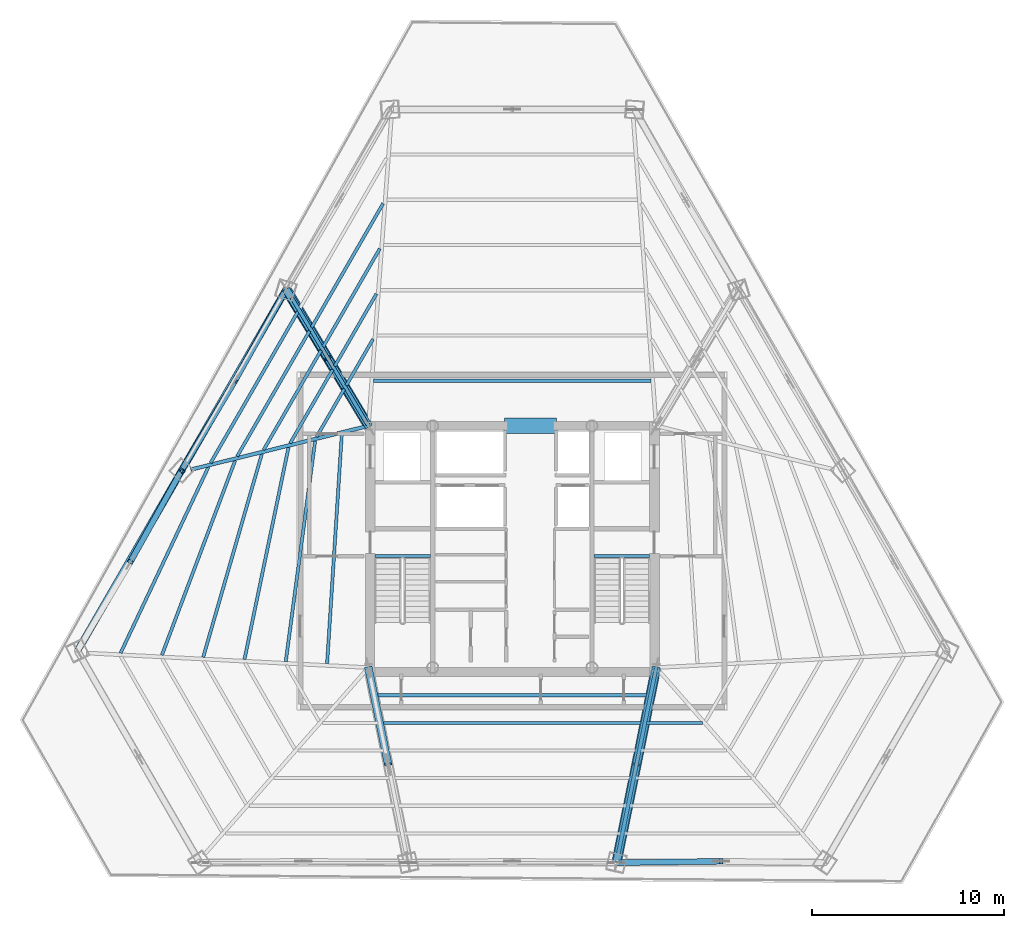
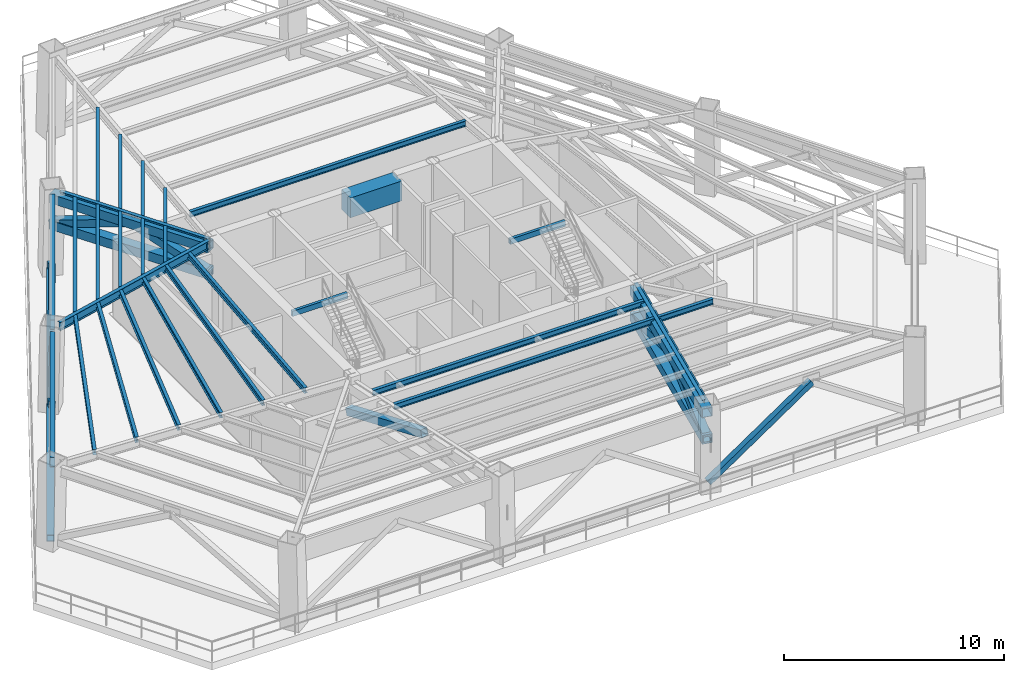
# One storey, part 2 of 12: 27 beams, 16 members.
"""IFC4 building model written with IfcOpenShell, lengths in metres."""

from ifc_helpers import new_model, si_unit, direction, frame, origin, origin_2d, place, context, subcontext, project, spatial, rectangle, hollow_rectangle, i_section, extrude, source, transform, mapped, material, material_profile, profile_set, type_object, type_shapes, element, save


model = new_model("IFC4")

# Units and contexts
model_context = context("Model", 3, precision=1e-05, world=origin(), true_north=direction((0.0, 1.0)))
body_context = subcontext(model_context, "Body", "Model", "MODEL_VIEW")
ifc_project = project(units=[si_unit("LENGTHUNIT", "METRE"), si_unit("AREAUNIT", "SQUARE_METRE"), si_unit("VOLUMEUNIT", "CUBIC_METRE"), si_unit("PLANEANGLEUNIT", "RADIAN"), si_unit("MASSUNIT", "GRAM", prefix="KILO")], contexts=[model_context])

# Site, building, storey
site_placement = place(None, origin())
site = spatial("IfcSite", under=ifc_project, at=site_placement, CompositionType="ELEMENT")
building_placement = place(site_placement, origin())
building = spatial("IfcBuilding", under=site, at=building_placement, Name="Caelisora Broadcast Tower", CompositionType="ELEMENT")
storey_placement = place(building_placement, frame((0.0, 0.0, 150.050048828125)))
storey = spatial("IfcBuildingStorey", under=building, at=storey_placement, Name="L39", CompositionType="ELEMENT", Elevation=150.050048828125)

# Beams
ifc_material_1 = material(Name="Steel Grade 350 (AS/NZS 1163 C350L0)", Category="steel")
ifc_material_profile_1 = material_profile(ifc_material_1, hollow_rectangle(XDim=0.14990234375, YDim=0.300048828125, WallThickness=0.010009765625, at=origin_2d()), Name="Steel Grade 350 (AS/NZS 1163 C350L0)")
ifc_profile_set_1 = profile_set([ifc_material_profile_1], Name="Steel Grade 350 (AS/NZS 1163 C350L0)")
beam_type_1 = type_object("IfcBeamType", Name="SB05", PredefinedType="JOIST", material=ifc_profile_set_1)
shared_shape_1 = source(origin(), body_context, "Body", "SweptSolid", [
    extrude(hollow_rectangle(XDim=0.14990234375, YDim=0.300048828125, WallThickness=0.010009765625, at=origin_2d()), origin(), (0.0, 0.0, 1.0), 2.89990234375),
])
type_shapes(beam_type_1, [shared_shape_1])
for number, where, z_axis, x_axis, name in (
    (1, (30.840087890625, 23.219970703125, 4.39990234375), (1.0, 0.0, 0.0), (0.0, 1.0, 0.0), "L39 beam SB05"),
    (2, (42.260009765625, 23.219970703125, 4.39990234375), (1.0, 0.0, 0.0), (0.0, 1.0, 0.0), "L39 beam SB05"),
):
    element("IfcBeam", number, at=place(storey_placement, frame(where, z_axis=z_axis, x_axis=x_axis)), inside=storey, type_object=beam_type_1, Name=name, PredefinedType="JOIST", context=body_context, shape_type="MappedRepresentation", body=[
        mapped(shared_shape_1, transform((0.0, 0.0, 0.0), scale=1.0)),
    ])
ifc_material_2 = material(Name="Concrete 65 MPa (AS 3600 S65)", Category="concrete")
ifc_material_profile_2 = material_profile(ifc_material_2, rectangle(XDim=0.800048828125, YDim=1.10009765625, at=origin_2d()), Name="Concrete 65 MPa (AS 3600 S65)")
ifc_profile_set_2 = profile_set([ifc_material_profile_2], Name="Concrete 65 MPa (AS 3600 S65)")
beam_type_2 = type_object("IfcBeamType", Name="CB01", PredefinedType="LINTEL", material=ifc_profile_set_2)
shared_shape_2 = source(origin(), body_context, "Body", "SweptSolid", [
    extrude(rectangle(XDim=0.800048828125, YDim=1.10009765625, at=origin_2d()), origin(), (0.0, 0.0, 1.0), 2.699951171875),
])
type_shapes(beam_type_2, [shared_shape_2])
beam_1_placement = place(storey_placement, frame((37.60009765625, 30.0, 4.0), z_axis=(1.0, 0.0, 0.0), x_axis=(0.0, 1.0, 0.0)))
element("IfcBeam", 3, at=beam_1_placement, inside=storey, type_object=beam_type_2, Name="L39 beam CB01", PredefinedType="LINTEL", context=body_context, shape_type="MappedRepresentation", body=[
    mapped(shared_shape_2, transform((0.0, 0.0, 0.0), scale=1.0)),
])

# Member
ifc_material_profile_3 = material_profile(ifc_material_1, hollow_rectangle(XDim=0.199951171875, YDim=0.199951171875, WallThickness=0.009033203125, at=origin_2d()), Name="Steel Grade 350 (AS/NZS 1163 C350L0)")
ifc_profile_set_3 = profile_set([ifc_material_profile_3], Name="Steel Grade 350 (AS/NZS 1163 C350L0)")
member_type_1 = type_object("IfcMemberType", Name="TR14", PredefinedType="POST", material=ifc_profile_set_3)
shared_shape_3 = source(origin(), body_context, "Body", "SweptSolid", [
    extrude(hollow_rectangle(XDim=0.199951171875, YDim=0.199951171875, WallThickness=0.009033203125, at=origin_2d()), origin(), (0.0, 0.0, 1.0), 3.620849609375),
])
type_shapes(member_type_1, [shared_shape_3])
member_1_placement = place(storey_placement, frame((20.764404296875, 27.682373046875, 0.349853515625), z_axis=(0.014901170285, -0.013754926417, 0.999794357417), x_axis=(0.678280102733, 0.734803444627, 0.0)))
element("IfcMember", 4, at=member_1_placement, inside=storey, type_object=member_type_1, Name="L39 transfer post TR14", PredefinedType="POST", context=body_context, shape_type="MappedRepresentation", body=[
    mapped(shared_shape_3, transform((0.0, 0.0, 0.0), scale=1.0)),
])

# Beams
ifc_material_3 = material(Name="Steel Grade 350 (AS/NZS 3679.1)", Category="steel")
ifc_material_profile_4 = material_profile(ifc_material_3, i_section(OverallWidth=0.208984375, OverallDepth=0.532958984375, WebThickness=0.01025390625, FlangeThickness=0.015625, at=origin_2d()), Name="Steel Grade 350 (AS/NZS 3679.1)")
ifc_profile_set_4 = profile_set([ifc_material_profile_4], Name="Steel Grade 350 (AS/NZS 3679.1)")
beam_type_3 = type_object("IfcBeamType", Name="PG05", PredefinedType="BEAM", material=ifc_profile_set_4)
shared_shape_4 = source(origin(), body_context, "Body", "SweptSolid", [
    extrude(i_section(OverallWidth=0.208984375, OverallDepth=0.532958984375, WebThickness=0.01025390625, FlangeThickness=0.015625, at=origin_2d()), origin(), (0.0, 0.0, 1.0), 9.9775390625),
])
beam_2_placement = place(storey_placement, frame((26.049560546875, 36.66015625, 4.283447265625), z_axis=(-0.499997099014, -0.866027078663, 0.0), x_axis=(0.866027078663, -0.499997099014, 0.0)))
element("IfcBeam", 5, at=beam_2_placement, inside=storey, type_object=beam_type_3, Name="L39 beam PG05", PredefinedType="BEAM", context=body_context, shape_type="MappedRepresentation", body=[
    mapped(shared_shape_4, transform((0.0, 0.0, 0.0), scale=1.0)),
])
shared_shape_5 = source(origin(), body_context, "Body", "SweptSolid", [
    extrude(i_section(OverallWidth=0.208984375, OverallDepth=0.532958984375, WebThickness=0.01025390625, FlangeThickness=0.015625, at=origin_2d()), origin(), (0.0, 0.0, 1.0), 9.977294921875),
])
type_shapes(beam_type_3, [shared_shape_4, shared_shape_5])
beam_3_placement = place(storey_placement, frame((20.600830078125, 27.22265625, 4.283447265625), z_axis=(-0.500007694496, -0.86602096132, 0.0), x_axis=(0.86602096132, -0.500007694496, 0.0)))
element("IfcBeam", 6, at=beam_3_placement, inside=storey, type_object=beam_type_3, Name="L39 beam PG05", PredefinedType="BEAM", context=body_context, shape_type="MappedRepresentation", body=[
    mapped(shared_shape_5, transform((0.0, 0.0, 0.0), scale=1.0)),
])
ifc_material_profile_5 = material_profile(ifc_material_3, i_section(OverallWidth=0.19091796875, OverallDepth=0.46044921875, WebThickness=0.010009765625, FlangeThickness=0.01611328125, at=origin_2d()), Name="Steel Grade 350 (AS/NZS 3679.1)")
ifc_profile_set_5 = profile_set([ifc_material_profile_5], Name="Steel Grade 350 (AS/NZS 3679.1)")
beam_type_4 = type_object("IfcBeamType", Name="PG06", PredefinedType="BEAM", material=ifc_profile_set_5)
shared_shape_6 = source(origin(), body_context, "Body", "SweptSolid", [
    extrude(i_section(OverallWidth=0.19091796875, OverallDepth=0.46044921875, WebThickness=0.010009765625, FlangeThickness=0.01611328125, at=origin_2d()), origin(), (0.0, 0.0, 1.0), 7.743896484375),
])
beam_4_placement = place(storey_placement, frame((30.46923828125, 30.051513671875, 4.31982421875), z_axis=(-0.513187736505, 0.858276381535, 0.0), x_axis=(-0.858276381535, -0.513187736505, 0.0)))
element("IfcBeam", 7, at=beam_4_placement, inside=storey, type_object=beam_type_4, Name="L39 beam PG06", PredefinedType="BEAM", context=body_context, shape_type="MappedRepresentation", body=[
    mapped(shared_shape_6, transform((0.0, 0.0, 0.0), scale=1.0)),
])
shared_shape_7 = source(origin(), body_context, "Body", "SweptSolid", [
    extrude(i_section(OverallWidth=0.19091796875, OverallDepth=0.46044921875, WebThickness=0.010009765625, FlangeThickness=0.01611328125, at=origin_2d()), origin(), (0.0, 0.0, 1.0), 9.4775390625),
])
beam_5_placement = place(storey_placement, frame((30.441650390625, 29.985595703125, 4.31982421875), z_axis=(-0.971038880429, -0.238921519949, 0.0), x_axis=(0.238921519949, -0.971038880429, 0.0)))
element("IfcBeam", 8, at=beam_5_placement, inside=storey, type_object=beam_type_4, Name="L39 beam PG06", PredefinedType="BEAM", context=body_context, shape_type="MappedRepresentation", body=[
    mapped(shared_shape_7, transform((0.0, 0.0, 0.0), scale=1.0)),
])
shared_shape_8 = source(origin(), body_context, "Body", "SweptSolid", [
    extrude(i_section(OverallWidth=0.19091796875, OverallDepth=0.46044921875, WebThickness=0.010009765625, FlangeThickness=0.01611328125, at=origin_2d()), origin(), (0.0, 0.0, 1.0), 9.80615234375),
])
type_shapes(beam_type_4, [shared_shape_6, shared_shape_7, shared_shape_8])
beam_6_placement = place(storey_placement, frame((45.488037109375, 17.34130859375, 4.31982421875), z_axis=(-0.199423421485, -0.979913414013, 0.0), x_axis=(0.979913414013, -0.199423421485, 0.0)))
element("IfcBeam", 9, at=beam_6_placement, inside=storey, type_object=beam_type_4, Name="L39 beam PG06", PredefinedType="BEAM", context=body_context, shape_type="MappedRepresentation", body=[
    mapped(shared_shape_8, transform((0.0, 0.0, 0.0), scale=1.0)),
])
ifc_material_profile_6 = material_profile(ifc_material_3, i_section(OverallWidth=0.166015625, OverallDepth=0.30712890625, WebThickness=0.006591796875, FlangeThickness=0.01171875, at=origin_2d()), Name="Steel Grade 350 (AS/NZS 3679.1)")
ifc_profile_set_6 = profile_set([ifc_material_profile_6], Name="Steel Grade 350 (AS/NZS 3679.1)")
beam_type_5 = type_object("IfcBeamType", Name="SB03", PredefinedType="JOIST", material=ifc_profile_set_6)
shared_shape_9 = source(origin(), body_context, "Body", "SweptSolid", [
    extrude(i_section(OverallWidth=0.166015625, OverallDepth=0.30712890625, WebThickness=0.006591796875, FlangeThickness=0.01171875, at=origin_2d()), origin(), (0.0, 0.0, 1.0), 14.46337890625),
])
beam_7_placement = place(storey_placement, frame((45.231689453125, 32.356689453125, 4.396240234375), z_axis=(-1.0, 0.0, 0.0), x_axis=(0.0, -1.0, 0.0)))
element("IfcBeam", 10, at=beam_7_placement, inside=storey, type_object=beam_type_5, Name="L39 beam SB03", PredefinedType="JOIST", context=body_context, shape_type="MappedRepresentation", body=[
    mapped(shared_shape_9, transform((0.0, 0.0, 0.0), scale=1.0)),
])
shared_shape_10 = source(origin(), body_context, "Body", "SweptSolid", [
    extrude(i_section(OverallWidth=0.166015625, OverallDepth=0.30712890625, WebThickness=0.006591796875, FlangeThickness=0.01171875, at=origin_2d()), origin(), (0.0, 0.0, 1.0), 2.790283203125),
])
beam_8_placement = place(storey_placement, frame((30.742431640625, 34.525390625, 4.396240234375), z_axis=(-0.499959774894, -0.866048626514, 0.0), x_axis=(0.866048626514, -0.499959774894, 0.0)))
element("IfcBeam", 11, at=beam_8_placement, inside=storey, type_object=beam_type_5, Name="L39 beam SB03", PredefinedType="JOIST", context=body_context, shape_type="MappedRepresentation", body=[
    mapped(shared_shape_10, transform((0.0, 0.0, 0.0), scale=1.0)),
])
shared_shape_11 = source(origin(), body_context, "Body", "SweptSolid", [
    extrude(i_section(OverallWidth=0.166015625, OverallDepth=0.30712890625, WebThickness=0.006591796875, FlangeThickness=0.01171875, at=origin_2d()), origin(), (0.0, 0.0, 1.0), 4.34716796875),
])
beam_9_placement = place(storey_placement, frame((30.91796875, 36.8818359375, 4.396240234375), z_axis=(-0.500010903086, -0.866019108793, 0.0), x_axis=(0.866019108793, -0.500010903086, 0.0)))
element("IfcBeam", 12, at=beam_9_placement, inside=storey, type_object=beam_type_5, Name="L39 beam SB03", PredefinedType="JOIST", context=body_context, shape_type="MappedRepresentation", body=[
    mapped(shared_shape_11, transform((0.0, 0.0, 0.0), scale=1.0)),
])
shared_shape_12 = source(origin(), body_context, "Body", "SweptSolid", [
    extrude(i_section(OverallWidth=0.166015625, OverallDepth=0.30712890625, WebThickness=0.006591796875, FlangeThickness=0.01171875, at=origin_2d()), origin(), (0.0, 0.0, 1.0), 5.90380859375),
])
beam_10_placement = place(storey_placement, frame((31.093505859375, 39.23828125, 4.396240234375), z_axis=(-0.50003506643, -0.866005157225, 0.0), x_axis=(0.866005157225, -0.50003506643, 0.0)))
element("IfcBeam", 13, at=beam_10_placement, inside=storey, type_object=beam_type_5, Name="L39 beam SB03", PredefinedType="JOIST", context=body_context, shape_type="MappedRepresentation", body=[
    mapped(shared_shape_12, transform((0.0, 0.0, 0.0), scale=1.0)),
])
shared_shape_13 = source(origin(), body_context, "Body", "SweptSolid", [
    extrude(i_section(OverallWidth=0.166015625, OverallDepth=0.30712890625, WebThickness=0.006591796875, FlangeThickness=0.01171875, at=origin_2d()), origin(), (0.0, 0.0, 1.0), 7.460693359375),
])
beam_11_placement = place(storey_placement, frame((31.268798828125, 41.594970703125, 4.396240234375), z_axis=(-0.499985890914, -0.866033549516, 0.0), x_axis=(0.866033549516, -0.499985890914, 0.0)))
element("IfcBeam", 14, at=beam_11_placement, inside=storey, type_object=beam_type_5, Name="L39 beam SB03", PredefinedType="JOIST", context=body_context, shape_type="MappedRepresentation", body=[
    mapped(shared_shape_13, transform((0.0, 0.0, 0.0), scale=1.0)),
])
shared_shape_14 = source(origin(), body_context, "Body", "SweptSolid", [
    extrude(i_section(OverallWidth=0.166015625, OverallDepth=0.30712890625, WebThickness=0.006591796875, FlangeThickness=0.01171875, at=origin_2d()), origin(), (0.0, 0.0, 1.0), 2.8779296875),
])
beam_12_placement = place(storey_placement, frame((29.240966796875, 31.9248046875, 4.396240234375), z_axis=(-0.499989254212, -0.866031607779, 0.0), x_axis=(0.866031607779, -0.499989254212, 0.0)))
element("IfcBeam", 15, at=beam_12_placement, inside=storey, type_object=beam_type_5, Name="L39 beam SB03", PredefinedType="JOIST", context=body_context, shape_type="MappedRepresentation", body=[
    mapped(shared_shape_14, transform((0.0, 0.0, 0.0), scale=1.0)),
])
shared_shape_15 = source(origin(), body_context, "Body", "SweptSolid", [
    extrude(i_section(OverallWidth=0.166015625, OverallDepth=0.30712890625, WebThickness=0.006591796875, FlangeThickness=0.01171875, at=origin_2d()), origin(), (0.0, 0.0, 1.0), 4.4345703125),
])
beam_13_placement = place(storey_placement, frame((28.63818359375, 32.93310546875, 4.396240234375), z_axis=(-0.499987733489, -0.866032485742, 0.0), x_axis=(0.866032485742, -0.499987733489, 0.0)))
element("IfcBeam", 16, at=beam_13_placement, inside=storey, type_object=beam_type_5, Name="L39 beam SB03", PredefinedType="JOIST", context=body_context, shape_type="MappedRepresentation", body=[
    mapped(shared_shape_15, transform((0.0, 0.0, 0.0), scale=1.0)),
])
shared_shape_16 = source(origin(), body_context, "Body", "SweptSolid", [
    extrude(i_section(OverallWidth=0.166015625, OverallDepth=0.30712890625, WebThickness=0.006591796875, FlangeThickness=0.01171875, at=origin_2d()), origin(), (0.0, 0.0, 1.0), 5.991455078125),
])
beam_14_placement = place(storey_placement, frame((28.03515625, 33.94140625, 4.396240234375), z_axis=(-0.500017564147, -0.866015262882, 0.0), x_axis=(0.866015262882, -0.500017564147, 0.0)))
element("IfcBeam", 17, at=beam_14_placement, inside=storey, type_object=beam_type_5, Name="L39 beam SB03", PredefinedType="JOIST", context=body_context, shape_type="MappedRepresentation", body=[
    mapped(shared_shape_16, transform((0.0, 0.0, 0.0), scale=1.0)),
])
shared_shape_17 = source(origin(), body_context, "Body", "SweptSolid", [
    extrude(i_section(OverallWidth=0.166015625, OverallDepth=0.30712890625, WebThickness=0.006591796875, FlangeThickness=0.01171875, at=origin_2d()), origin(), (0.0, 0.0, 1.0), 7.548095703125),
])
beam_15_placement = place(storey_placement, frame((27.43212890625, 34.94970703125, 4.396240234375), z_axis=(-0.499986573817, -0.866033155256, 0.0), x_axis=(0.866033155256, -0.499986573817, 0.0)))
element("IfcBeam", 18, at=beam_15_placement, inside=storey, type_object=beam_type_5, Name="L39 beam SB03", PredefinedType="JOIST", context=body_context, shape_type="MappedRepresentation", body=[
    mapped(shared_shape_17, transform((0.0, 0.0, 0.0), scale=1.0)),
])
shared_shape_18 = source(origin(), body_context, "Body", "SweptSolid", [
    extrude(i_section(OverallWidth=0.166015625, OverallDepth=0.30712890625, WebThickness=0.006591796875, FlangeThickness=0.01171875, at=origin_2d()), origin(), (0.0, 0.0, 1.0), 9.10498046875),
])
beam_16_placement = place(storey_placement, frame((26.829345703125, 35.9580078125, 4.396240234375), z_axis=(-0.500006402358, -0.86602170735, 0.0), x_axis=(0.86602170735, -0.500006402358, 0.0)))
element("IfcBeam", 19, at=beam_16_placement, inside=storey, type_object=beam_type_5, Name="L39 beam SB03", PredefinedType="JOIST", context=body_context, shape_type="MappedRepresentation", body=[
    mapped(shared_shape_18, transform((0.0, 0.0, 0.0), scale=1.0)),
])
shared_shape_19 = source(origin(), body_context, "Body", "SweptSolid", [
    extrude(i_section(OverallWidth=0.166015625, OverallDepth=0.30712890625, WebThickness=0.006591796875, FlangeThickness=0.01171875, at=origin_2d()), origin(), (0.0, 0.0, 1.0), 11.9833984375),
])
beam_17_placement = place(storey_placement, frame((29.112548828125, 29.563232421875, 4.396240234375), z_axis=(-0.063950975762, -0.99795304133, 0.0), x_axis=(0.99795304133, -0.063950975762, 0.0)))
element("IfcBeam", 20, at=beam_17_placement, inside=storey, type_object=beam_type_5, Name="L39 beam SB03", PredefinedType="JOIST", context=body_context, shape_type="MappedRepresentation", body=[
    mapped(shared_shape_19, transform((0.0, 0.0, 0.0), scale=1.0)),
])
shared_shape_20 = source(origin(), body_context, "Body", "SweptSolid", [
    extrude(i_section(OverallWidth=0.166015625, OverallDepth=0.30712890625, WebThickness=0.006591796875, FlangeThickness=0.01171875, at=origin_2d()), origin(), (0.0, 0.0, 1.0), 11.607421875),
])
beam_18_placement = place(storey_placement, frame((27.72412109375, 29.2216796875, 4.396240234375), z_axis=(-0.131921235477, -0.991260201779, 0.0), x_axis=(0.991260201779, -0.131921235477, 0.0)))
element("IfcBeam", 21, at=beam_18_placement, inside=storey, type_object=beam_type_5, Name="L39 beam SB03", PredefinedType="JOIST", context=body_context, shape_type="MappedRepresentation", body=[
    mapped(shared_shape_20, transform((0.0, 0.0, 0.0), scale=1.0)),
])
shared_shape_21 = source(origin(), body_context, "Body", "SweptSolid", [
    extrude(i_section(OverallWidth=0.166015625, OverallDepth=0.30712890625, WebThickness=0.006591796875, FlangeThickness=0.01171875, at=origin_2d()), origin(), (0.0, 0.0, 1.0), 11.2880859375),
])
beam_19_placement = place(storey_placement, frame((26.335205078125, 28.879638671875, 4.396240234375), z_axis=(-0.203347906937, -0.979106546166, 0.0), x_axis=(0.979106546166, -0.203347906937, 0.0)))
element("IfcBeam", 22, at=beam_19_placement, inside=storey, type_object=beam_type_5, Name="L39 beam SB03", PredefinedType="JOIST", context=body_context, shape_type="MappedRepresentation", body=[
    mapped(shared_shape_21, transform((0.0, 0.0, 0.0), scale=1.0)),
])
shared_shape_22 = source(origin(), body_context, "Body", "SweptSolid", [
    extrude(i_section(OverallWidth=0.166015625, OverallDepth=0.30712890625, WebThickness=0.006591796875, FlangeThickness=0.01171875, at=origin_2d()), origin(), (0.0, 0.0, 1.0), 11.030517578125),
])
beam_20_placement = place(storey_placement, frame((24.945068359375, 28.53759765625, 4.396240234375), z_axis=(-0.277193264963, -0.960814182794, 0.0), x_axis=(0.960814182794, -0.277193264963, 0.0)))
element("IfcBeam", 23, at=beam_20_placement, inside=storey, type_object=beam_type_5, Name="L39 beam SB03", PredefinedType="JOIST", context=body_context, shape_type="MappedRepresentation", body=[
    mapped(shared_shape_22, transform((0.0, 0.0, 0.0), scale=1.0)),
])
shared_shape_23 = source(origin(), body_context, "Body", "SweptSolid", [
    extrude(i_section(OverallWidth=0.166015625, OverallDepth=0.30712890625, WebThickness=0.006591796875, FlangeThickness=0.01171875, at=origin_2d()), origin(), (0.0, 0.0, 1.0), 10.839111328125),
])
beam_21_placement = place(storey_placement, frame((23.5537109375, 28.195068359375, 4.396240234375), z_axis=(-0.352256183351, -0.935903617522, 0.0), x_axis=(0.935903617522, -0.352256183351, 0.0)))
element("IfcBeam", 24, at=beam_21_placement, inside=storey, type_object=beam_type_5, Name="L39 beam SB03", PredefinedType="JOIST", context=body_context, shape_type="MappedRepresentation", body=[
    mapped(shared_shape_23, transform((0.0, 0.0, 0.0), scale=1.0)),
])
shared_shape_24 = source(origin(), body_context, "Body", "SweptSolid", [
    extrude(i_section(OverallWidth=0.166015625, OverallDepth=0.30712890625, WebThickness=0.006591796875, FlangeThickness=0.01171875, at=origin_2d()), origin(), (0.0, 0.0, 1.0), 10.71630859375),
])
beam_22_placement = place(storey_placement, frame((22.160888671875, 27.852294921875, 4.396240234375), z_axis=(-0.427052875454, -0.904226653869, 0.0), x_axis=(0.904226653869, -0.427052875454, 0.0)))
element("IfcBeam", 25, at=beam_22_placement, inside=storey, type_object=beam_type_5, Name="L39 beam SB03", PredefinedType="JOIST", context=body_context, shape_type="MappedRepresentation", body=[
    mapped(shared_shape_24, transform((0.0, 0.0, 0.0), scale=1.0)),
])
shared_shape_25 = source(origin(), body_context, "Body", "SweptSolid", [
    extrude(i_section(OverallWidth=0.166015625, OverallDepth=0.30712890625, WebThickness=0.006591796875, FlangeThickness=0.01171875, at=origin_2d()), origin(), (0.0, 0.0, 1.0), 2.89501953125),
])
beam_23_placement = place(storey_placement, frame((45.00830078125, 14.52001953125, 4.396240234375), z_axis=(1.0, 0.0, 0.0), x_axis=(0.0, 1.0, 0.0)))
element("IfcBeam", 26, at=beam_23_placement, inside=storey, type_object=beam_type_5, Name="L39 beam SB03", PredefinedType="JOIST", context=body_context, shape_type="MappedRepresentation", body=[
    mapped(shared_shape_25, transform((0.0, 0.0, 0.0), scale=1.0)),
])
shared_shape_26 = source(origin(), body_context, "Body", "SweptSolid", [
    extrude(i_section(OverallWidth=0.166015625, OverallDepth=0.30712890625, WebThickness=0.006591796875, FlangeThickness=0.01171875, at=origin_2d()), origin(), (0.0, 0.0, 1.0), 14.22509765625),
])
beam_24_placement = place(storey_placement, frame((30.887451171875, 15.960205078125, 4.396240234375), z_axis=(1.0, 0.0, 0.0), x_axis=(0.0, 1.0, 0.0)))
element("IfcBeam", 27, at=beam_24_placement, inside=storey, type_object=beam_type_5, Name="L39 beam SB03", PredefinedType="JOIST", context=body_context, shape_type="MappedRepresentation", body=[
    mapped(shared_shape_26, transform((0.0, 0.0, 0.0), scale=1.0)),
])
shared_shape_27 = source(origin(), body_context, "Body", "SweptSolid", [
    extrude(i_section(OverallWidth=0.166015625, OverallDepth=0.30712890625, WebThickness=0.006591796875, FlangeThickness=0.01171875, at=origin_2d()), origin(), (0.0, 0.0, 1.0), 13.638671875),
])
type_shapes(beam_type_5, [shared_shape_9, shared_shape_10, shared_shape_11, shared_shape_12, shared_shape_13, shared_shape_14, shared_shape_15, shared_shape_16, shared_shape_17, shared_shape_18, shared_shape_19, shared_shape_20, shared_shape_21, shared_shape_22, shared_shape_23, shared_shape_24, shared_shape_25, shared_shape_26, shared_shape_27])
beam_25_placement = place(storey_placement, frame((31.1806640625, 14.52001953125, 4.396240234375), z_axis=(1.0, 0.0, 0.0), x_axis=(0.0, 1.0, 0.0)))
element("IfcBeam", 28, at=beam_25_placement, inside=storey, type_object=beam_type_5, Name="L39 beam SB03", PredefinedType="JOIST", context=body_context, shape_type="MappedRepresentation", body=[
    mapped(shared_shape_27, transform((0.0, 0.0, 0.0), scale=1.0)),
])

# Members
ifc_material_4 = material(Name="Steel Grade 350 L15 (AS/NZS 3678)", Category="steel")
ifc_material_profile_7 = material_profile(ifc_material_4, hollow_rectangle(XDim=0.5, YDim=0.5, WallThickness=0.02001953125, at=origin_2d()), Name="Steel Grade 350 L15 (AS/NZS 3678)")
ifc_profile_set_7 = profile_set([ifc_material_profile_7], Name="Steel Grade 350 L15 (AS/NZS 3678)")
member_type_2 = type_object("IfcMemberType", Name="OR03", PredefinedType="CHORD", material=ifc_profile_set_7)
shared_shape_28 = source(origin(), body_context, "Body", "SweptSolid", [
    extrude(hollow_rectangle(XDim=0.5, YDim=0.5, WallThickness=0.02001953125, at=origin_2d()), origin(), (0.0, 0.0, 1.0), 10.3291015625),
])
member_2_placement = place(storey_placement, frame((45.5, 17.39990234375, 2.679931640625), z_axis=(-0.199514963358, -0.979894779758, 0.0), x_axis=(0.979894779758, -0.199514963358, 0.0)))
element("IfcMember", 29, at=member_2_placement, inside=storey, type_object=member_type_2, Name="L39 outrigger chord OR03", PredefinedType="CHORD", context=body_context, shape_type="MappedRepresentation", body=[
    mapped(shared_shape_28, transform((0.0, 0.0, 0.0), scale=1.0)),
])
shared_shape_29 = source(origin(), body_context, "Body", "SweptSolid", [
    extrude(hollow_rectangle(XDim=0.5, YDim=0.5, WallThickness=0.02001953125, at=origin_2d()), origin(), (0.0, 0.0, 1.0), 10.2998046875),
])
member_3_placement = place(storey_placement, frame((45.5, 17.39990234375, 4.1298828125), z_axis=(-0.199442635762, -0.979909503495, 0.0), x_axis=(0.979909503495, -0.199442635762, 0.0)))
element("IfcMember", 30, at=member_3_placement, inside=storey, type_object=member_type_2, Name="L39 outrigger chord OR03", PredefinedType="CHORD", context=body_context, shape_type="MappedRepresentation", body=[
    mapped(shared_shape_29, transform((0.0, 0.0, 0.0), scale=1.0)),
])
ifc_material_profile_8 = material_profile(ifc_material_1, hollow_rectangle(XDim=0.39990234375, YDim=0.39990234375, WallThickness=0.01611328125, at=origin_2d()), Name="Steel Grade 350 (AS/NZS 1163 C350L0)")
ifc_profile_set_8 = profile_set([ifc_material_profile_8], Name="Steel Grade 350 (AS/NZS 1163 C350L0)")
member_type_3 = type_object("IfcMemberType", Name="OR04", PredefinedType="STRUT", material=ifc_profile_set_8)
shared_shape_30 = source(origin(), body_context, "Body", "SweptSolid", [
    extrude(hollow_rectangle(XDim=0.39990234375, YDim=0.39990234375, WallThickness=0.01611328125, at=origin_2d()), origin(), (0.0, 0.0, 1.0), 5.35009765625),
])
for number, where, z_axis, x_axis, name in (
    (31, (30.5, 17.39990234375, 2.679931640625), (0.191978515879, -0.943236492328, 0.271015071502), (0.979909503495, 0.199442635762, 0.0), "L39 outrigger diagonal OR04"),
    (32, (45.5, 17.39990234375, 2.679931640625), (-0.191978515879, -0.943236492328, 0.271015071502), (0.979909503495, -0.199442635762, 0.0), "L39 outrigger diagonal OR04"),
):
    element("IfcMember", number, at=place(storey_placement, frame(where, z_axis=z_axis, x_axis=x_axis)), inside=storey, type_object=member_type_3, Name=name, PredefinedType="STRUT", context=body_context, shape_type="MappedRepresentation", body=[
        mapped(shared_shape_30, transform((0.0, 0.0, 0.0), scale=1.0)),
    ])
shared_shape_31 = source(origin(), body_context, "Body", "SweptSolid", [
    extrude(hollow_rectangle(XDim=0.39990234375, YDim=0.39990234375, WallThickness=0.01611328125, at=origin_2d()), origin(), (0.0, 0.0, 1.0), 5.378173828125),
])
member_4_placement = place(storey_placement, frame((44.472900390625, 12.353515625, 4.1298828125), z_axis=(-0.192197029803, -0.943599352509, -0.269593330185), x_axis=(0.979880134038, -0.199586880623, 0.0)))
element("IfcMember", 33, at=member_4_placement, inside=storey, type_object=member_type_3, Name="L39 outrigger diagonal OR04", PredefinedType="STRUT", context=body_context, shape_type="MappedRepresentation", body=[
    mapped(shared_shape_31, transform((0.0, 0.0, 0.0), scale=1.0)),
])
shared_shape_32 = source(origin(), body_context, "Body", "SweptSolid", [
    extrude(hollow_rectangle(XDim=0.5, YDim=0.5, WallThickness=0.02001953125, at=origin_2d()), origin(), (0.0, 0.0, 1.0), 8.25634765625),
])
member_5_placement = place(storey_placement, frame((30.5, 30.0, 2.679931640625), z_axis=(-0.516182015315, 0.856478912213, 0.0), x_axis=(-0.856478912213, -0.516182015315, 0.0)))
element("IfcMember", 34, at=member_5_placement, inside=storey, type_object=member_type_2, Name="L39 outrigger chord OR03", PredefinedType="CHORD", context=body_context, shape_type="MappedRepresentation", body=[
    mapped(shared_shape_32, transform((0.0, 0.0, 0.0), scale=1.0)),
])
shared_shape_33 = source(origin(), body_context, "Body", "SweptSolid", [
    extrude(hollow_rectangle(XDim=0.5, YDim=0.5, WallThickness=0.02001953125, at=origin_2d()), origin(), (0.0, 0.0, 1.0), 8.234130859375),
])
type_shapes(member_type_2, [shared_shape_28, shared_shape_29, shared_shape_32, shared_shape_33])
member_6_placement = place(storey_placement, frame((30.5, 30.0, 4.1298828125), z_axis=(-0.514129444897, 0.85771260565, 0.0), x_axis=(-0.85771260565, -0.514129444897, 0.0)))
element("IfcMember", 35, at=member_6_placement, inside=storey, type_object=member_type_2, Name="L39 outrigger chord OR03", PredefinedType="CHORD", context=body_context, shape_type="MappedRepresentation", body=[
    mapped(shared_shape_33, transform((0.0, 0.0, 0.0), scale=1.0)),
])
shared_shape_34 = source(origin(), body_context, "Body", "SweptSolid", [
    extrude(hollow_rectangle(XDim=0.39990234375, YDim=0.39990234375, WallThickness=0.01611328125, at=origin_2d()), origin(), (0.0, 0.0, 1.0), 4.364990234375),
])
member_7_placement = place(storey_placement, frame((30.5, 30.0, 2.679931640625), z_axis=(-0.484934584456, 0.809007362119, 0.332182986976), x_axis=(-0.85771260565, -0.514129444897, 0.0)))
element("IfcMember", 36, at=member_7_placement, inside=storey, type_object=member_type_3, Name="L39 outrigger diagonal OR04", PredefinedType="STRUT", context=body_context, shape_type="MappedRepresentation", body=[
    mapped(shared_shape_34, transform((0.0, 0.0, 0.0), scale=1.0)),
])
shared_shape_35 = source(origin(), body_context, "Body", "SweptSolid", [
    extrude(hollow_rectangle(XDim=0.39990234375, YDim=0.39990234375, WallThickness=0.01611328125, at=origin_2d()), origin(), (0.0, 0.0, 1.0), 4.3857421875),
])
type_shapes(member_type_3, [shared_shape_30, shared_shape_31, shared_shape_34, shared_shape_35])
member_8_placement = place(storey_placement, frame((28.38330078125, 33.53125, 4.1298828125), z_axis=(-0.489081544446, 0.80715711296, -0.330600420267), x_axis=(-0.855246946827, -0.518220667229, 0.0)))
element("IfcMember", 37, at=member_8_placement, inside=storey, type_object=member_type_3, Name="L39 outrigger diagonal OR04", PredefinedType="STRUT", context=body_context, shape_type="MappedRepresentation", body=[
    mapped(shared_shape_35, transform((0.0, 0.0, 0.0), scale=1.0)),
])
ifc_material_profile_9 = material_profile(ifc_material_1, hollow_rectangle(XDim=0.35009765625, YDim=0.35009765625, WallThickness=0.01611328125, at=origin_2d()), Name="Steel Grade 350 (AS/NZS 1163 C350L0)")
ifc_profile_set_9 = profile_set([ifc_material_profile_9], Name="Steel Grade 350 (AS/NZS 1163 C350L0)")
member_type_4 = type_object("IfcMemberType", Name="OR05", PredefinedType="CHORD", material=ifc_profile_set_9)
shared_shape_36 = source(origin(), body_context, "Body", "SweptSolid", [
    extrude(hollow_rectangle(XDim=0.35009765625, YDim=0.35009765625, WallThickness=0.01611328125, at=origin_2d()), origin(), (0.0, 0.0, 1.0), 10.857421875),
])
type_shapes(member_type_4, [shared_shape_36])
for number, where, z_axis, x_axis, name in (
    (38, (26.193115234375, 37.085205078125, 0.349853515625), (-0.499998848701, -0.866026068486, 0.0), (0.866026068486, -0.499998848701, 0.0), "L39 belt chord OR05"),
    (39, (20.764404296875, 27.682373046875, 0.349853515625), (-0.499998848701, -0.866026068486, 0.0), (0.866026068486, -0.499998848701, 0.0), "L39 belt chord OR05"),
):
    element("IfcMember", number, at=place(storey_placement, frame(where, z_axis=z_axis, x_axis=x_axis)), inside=storey, type_object=member_type_4, Name=name, PredefinedType="CHORD", context=body_context, shape_type="MappedRepresentation", body=[
        mapped(shared_shape_36, transform((0.0, 0.0, 0.0), scale=1.0)),
    ])
ifc_material_profile_10 = material_profile(ifc_material_1, hollow_rectangle(XDim=0.300048828125, YDim=0.300048828125, WallThickness=0.012451171875, at=origin_2d()), Name="Steel Grade 350 (AS/NZS 1163 C350L0)")
ifc_profile_set_10 = profile_set([ifc_material_profile_10], Name="Steel Grade 350 (AS/NZS 1163 C350L0)")
member_type_5 = type_object("IfcMemberType", Name="OR06", PredefinedType="STRUT", material=ifc_profile_set_10)
shared_shape_37 = source(origin(), body_context, "Body", "SweptSolid", [
    extrude(hollow_rectangle(XDim=0.300048828125, YDim=0.300048828125, WallThickness=0.012451171875, at=origin_2d()), origin(), (0.0, 0.0, 1.0), 6.525390625),
])
for number, where, z_axis, x_axis, name in (
    (40, (26.193115234375, 37.085205078125, 0.349853515625), (-0.406426696469, -0.725978423851, 0.55477262775), (0.872568121252, -0.48849245007, 0.0), "L39 belt diagonal OR06"),
    (41, (20.764404296875, 27.682373046875, 0.349853515625), (0.425502626652, 0.714970121807, 0.554765932295), (-0.859332409735, 0.511417451382, 0.0), "L39 belt diagonal OR06"),
):
    element("IfcMember", number, at=place(storey_placement, frame(where, z_axis=z_axis, x_axis=x_axis)), inside=storey, type_object=member_type_5, Name=name, PredefinedType="STRUT", context=body_context, shape_type="MappedRepresentation", body=[
        mapped(shared_shape_37, transform((0.0, 0.0, 0.0), scale=1.0)),
    ])
shared_shape_38 = source(origin(), body_context, "Body", "SweptSolid", [
    extrude(hollow_rectangle(XDim=0.300048828125, YDim=0.300048828125, WallThickness=0.012451171875, at=origin_2d()), origin(), (0.0, 0.0, 1.0), 6.552490234375),
])
type_shapes(member_type_5, [shared_shape_37, shared_shape_38])
for number, where, z_axis, x_axis, name in (
    (42, (20.764404296875, 27.682373046875, 0.349853515625), (-0.407244908438, -0.727265632919, 0.552481930679), (0.872518211801, -0.488581589988, 0.0), "L39 belt diagonal OR06"),
    (43, (43.4287109375, 7.232421875, 0.349853515625), (0.833453824102, 0.010916982005, 0.552481259948), (-0.013097360999, 0.999914225889, 0.0), "L39 belt diagonal OR06"),
):
    element("IfcMember", number, at=place(storey_placement, frame(where, z_axis=z_axis, x_axis=x_axis)), inside=storey, type_object=member_type_5, Name=name, PredefinedType="STRUT", context=body_context, shape_type="MappedRepresentation", body=[
        mapped(shared_shape_38, transform((0.0, 0.0, 0.0), scale=1.0)),
    ])

save(model, "model.ifc")
